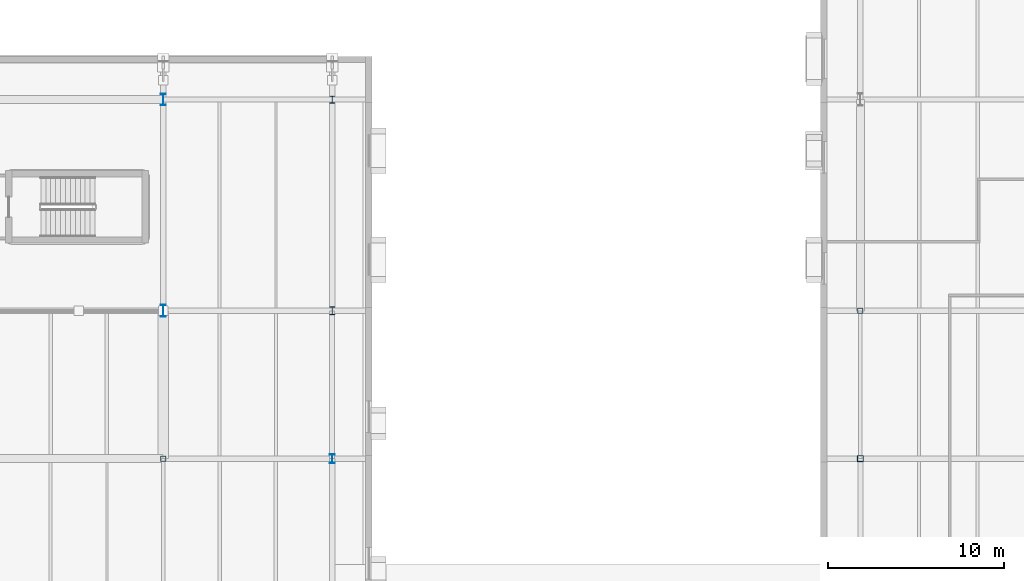
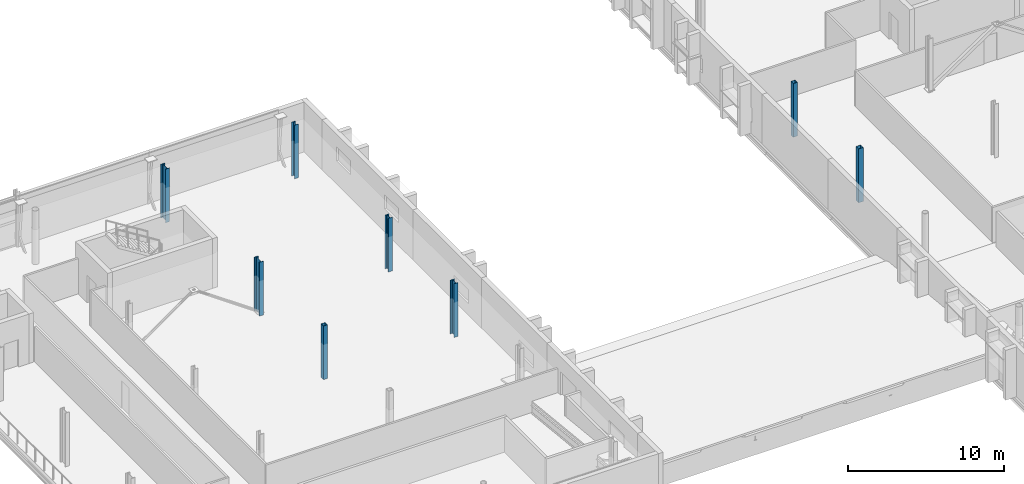
# One storey, part 11 of 90: 8 columns.
"""IFC4 building model written with IfcOpenShell, lengths in metres."""

from ifc_helpers import new_model, si_unit, direction, frame, origin, origin_2d, place, context, subcontext, project, spatial, hollow_rectangle, i_section, extrude, material, material_profile, profile_set, type_object, element, save


model = new_model("IFC4")

# Units and contexts
model_context = context("Model", 3, precision=1e-05, world=origin(), true_north=direction((0.0, 1.0)))
body_context = subcontext(model_context, "Body", "Model", "MODEL_VIEW")
ifc_project = project(units=[si_unit("LENGTHUNIT", "METRE"), si_unit("AREAUNIT", "SQUARE_METRE"), si_unit("VOLUMEUNIT", "CUBIC_METRE"), si_unit("PLANEANGLEUNIT", "RADIAN"), si_unit("MASSUNIT", "GRAM", prefix="KILO")], contexts=[model_context])

# Site, building, storey
site_placement = place(None, origin())
site = spatial("IfcSite", under=ifc_project, at=site_placement, CompositionType="ELEMENT")
building_placement = place(site_placement, origin())
building = spatial("IfcBuilding", under=site, at=building_placement, Name="Zereglee Splitstone Museum", CompositionType="ELEMENT")
storey_placement = place(building_placement, frame((0.0, 0.0, 4.800048828125)))
storey = spatial("IfcBuildingStorey", under=building, at=storey_placement, Name="L01", CompositionType="ELEMENT", Elevation=4.800048828125)

# Columns
ifc_material_1 = material(Name="Steel S355J2", Category="steel")
ifc_material_profile_1 = material_profile(ifc_material_1, i_section(OverallWidth=0.300048828125, OverallDepth=0.39990234375, WebThickness=0.013427734375, FlangeThickness=0.02392578125, FilletRadius=0.027099609375, at=origin_2d()), Name="HE 400 B")
ifc_profile_set_1 = profile_set([ifc_material_profile_1], Name="Steel S355J2")
column_type_1 = type_object("IfcColumnType", Name="C-15", PredefinedType="COLUMN", material=ifc_profile_set_1)
column_1_placement = place(storey_placement, frame((145.199951171875, 50.39990234375, 0.0), z_axis=(0.0, 0.0, 1.0), x_axis=(1.0, 0.0, 0.0)))
element("IfcColumn", 1, at=column_1_placement, inside=storey, type_object=column_type_1, Name="Column 17/F L01", PredefinedType="COLUMN", context=body_context, shape_type="SweptSolid", body=[
    extrude(i_section(OverallWidth=0.300048828125, OverallDepth=0.39990234375, WebThickness=0.013427734375, FlangeThickness=0.02392578125, FilletRadius=0.027099609375, at=origin_2d()), origin(), (0.0, 0.0, 1.0), 4.199951171875),
])
ifc_material_profile_2 = material_profile(ifc_material_1, i_section(OverallWidth=0.300048828125, OverallDepth=0.449951171875, WebThickness=0.013916015625, FlangeThickness=0.02587890625, FilletRadius=0.027099609375, at=origin_2d()), Name="HE 450 B")
ifc_profile_set_2 = profile_set([ifc_material_profile_2], Name="Steel S355J2")
column_type_2 = type_object("IfcColumnType", Name="C-14", PredefinedType="COLUMN", material=ifc_profile_set_2)
column_2_placement = place(storey_placement, frame((145.199951171875, 38.39990234375, 0.0), z_axis=(0.0, 0.0, 1.0), x_axis=(1.0, 0.0, 0.0)))
element("IfcColumn", 2, at=column_2_placement, inside=storey, type_object=column_type_2, Name="Column 17/E L01", PredefinedType="COLUMN", context=body_context, shape_type="SweptSolid", body=[
    extrude(i_section(OverallWidth=0.300048828125, OverallDepth=0.449951171875, WebThickness=0.013916015625, FlangeThickness=0.02587890625, FilletRadius=0.027099609375, at=origin_2d()), origin(), (0.0, 0.0, 1.0), 4.199951171875),
])
ifc_material_profile_3 = material_profile(ifc_material_1, i_section(OverallWidth=0.300048828125, OverallDepth=0.5, WebThickness=0.014404296875, FlangeThickness=0.028076171875, FilletRadius=0.027099609375, at=origin_2d()), Name="HE 500 B")
ifc_profile_set_3 = profile_set([ifc_material_profile_3], Name="Steel S355J2")
column_type_3 = type_object("IfcColumnType", Name="C-13", PredefinedType="COLUMN", material=ifc_profile_set_3)
column_3_placement = place(storey_placement, frame((145.199951171875, 30.0, 0.0), z_axis=(0.0, 0.0, 1.0), x_axis=(1.0, 0.0, 0.0)))
element("IfcColumn", 3, at=column_3_placement, inside=storey, type_object=column_type_3, Name="Column 17/D L01", PredefinedType="COLUMN", context=body_context, shape_type="SweptSolid", body=[
    extrude(i_section(OverallWidth=0.300048828125, OverallDepth=0.5, WebThickness=0.014404296875, FlangeThickness=0.028076171875, FilletRadius=0.027099609375, at=origin_2d()), origin(), (0.0, 0.0, 1.0), 4.199951171875),
])
ifc_material_profile_4 = material_profile(ifc_material_1, i_section(OverallWidth=0.300048828125, OverallDepth=0.64990234375, WebThickness=0.01611328125, FlangeThickness=0.031005859375, FilletRadius=0.027099609375, at=origin_2d()), Name="HE 650 B")
ifc_profile_set_4 = profile_set([ifc_material_profile_4], Name="Steel S355J2")
column_type_4 = type_object("IfcColumnType", Name="C-10", PredefinedType="COLUMN", material=ifc_profile_set_4)
column_4_placement = place(storey_placement, frame((135.60009765625, 50.39990234375, 0.0), z_axis=(0.0, 0.0, 1.0), x_axis=(1.0, 0.0, 0.0)))
element("IfcColumn", 4, at=column_4_placement, inside=storey, type_object=column_type_4, Name="Column 16/F L01", PredefinedType="COLUMN", context=body_context, shape_type="SweptSolid", body=[
    extrude(i_section(OverallWidth=0.300048828125, OverallDepth=0.64990234375, WebThickness=0.01611328125, FlangeThickness=0.031005859375, FilletRadius=0.027099609375, at=origin_2d()), origin(), (0.0, 0.0, 1.0), 4.199951171875),
])
ifc_material_profile_5 = material_profile(ifc_material_1, i_section(OverallWidth=0.300048828125, OverallDepth=0.699951171875, WebThickness=0.01708984375, FlangeThickness=0.031982421875, FilletRadius=0.027099609375, at=origin_2d()), Name="HE 700 B")
ifc_profile_set_5 = profile_set([ifc_material_profile_5], Name="Steel S355J2")
column_type_5 = type_object("IfcColumnType", Name="C-09", PredefinedType="COLUMN", material=ifc_profile_set_5)
column_5_placement = place(storey_placement, frame((135.60009765625, 38.39990234375, 0.0), z_axis=(0.0, 0.0, 1.0), x_axis=(1.0, 0.0, 0.0)))
element("IfcColumn", 5, at=column_5_placement, inside=storey, type_object=column_type_5, Name="Column 16/E L01", PredefinedType="COLUMN", context=body_context, shape_type="SweptSolid", body=[
    extrude(i_section(OverallWidth=0.300048828125, OverallDepth=0.699951171875, WebThickness=0.01708984375, FlangeThickness=0.031982421875, FilletRadius=0.027099609375, at=origin_2d()), origin(), (0.0, 0.0, 1.0), 4.199951171875),
])
ifc_material_2 = material(Name="Steel S355J2H", Category="steel")
ifc_material_profile_6 = material_profile(ifc_material_2, hollow_rectangle(XDim=0.300048828125, YDim=0.300048828125, WallThickness=0.01611328125, at=origin_2d()), Name="SHS 300x300x16")
ifc_profile_set_6 = profile_set([ifc_material_profile_6], Name="Steel S355J2H")
column_type_6 = type_object("IfcColumnType", Name="C-20", PredefinedType="COLUMN", material=ifc_profile_set_6)
for number, where, z_axis, x_axis, name in (
    (6, (135.60009765625, 30.0, 0.0), (0.0, 0.0, 1.0), (1.0, 0.0, 0.0), "Column 16/D L01"),
    (7, (175.199951171875, 38.39990234375, 0.0), (0.0, 0.0, 1.0), (1.0, 0.0, 0.0), "Column 20/E L01"),
):
    element("IfcColumn", number, at=place(storey_placement, frame(where, z_axis=z_axis, x_axis=x_axis)), inside=storey, type_object=column_type_6, Name=name, PredefinedType="COLUMN", context=body_context, shape_type="SweptSolid", body=[
        extrude(hollow_rectangle(XDim=0.300048828125, YDim=0.300048828125, WallThickness=0.01611328125, at=origin_2d()), origin(), (0.0, 0.0, 1.0), 4.199951171875),
    ])
ifc_material_profile_7 = material_profile(ifc_material_2, hollow_rectangle(XDim=0.35009765625, YDim=0.35009765625, WallThickness=0.01611328125, at=origin_2d()), Name="SHS 350x350x16")
ifc_profile_set_7 = profile_set([ifc_material_profile_7], Name="Steel S355J2H")
column_type_7 = type_object("IfcColumnType", Name="C-19", PredefinedType="COLUMN", material=ifc_profile_set_7)
column_6_placement = place(storey_placement, frame((175.199951171875, 30.0, 0.0), z_axis=(0.0, 0.0, 1.0), x_axis=(1.0, 0.0, 0.0)))
element("IfcColumn", 8, at=column_6_placement, inside=storey, type_object=column_type_7, Name="Column 20/D L01", PredefinedType="COLUMN", context=body_context, shape_type="SweptSolid", body=[
    extrude(hollow_rectangle(XDim=0.35009765625, YDim=0.35009765625, WallThickness=0.01611328125, at=origin_2d()), origin(), (0.0, 0.0, 1.0), 4.199951171875),
])

save(model, "model.ifc")
